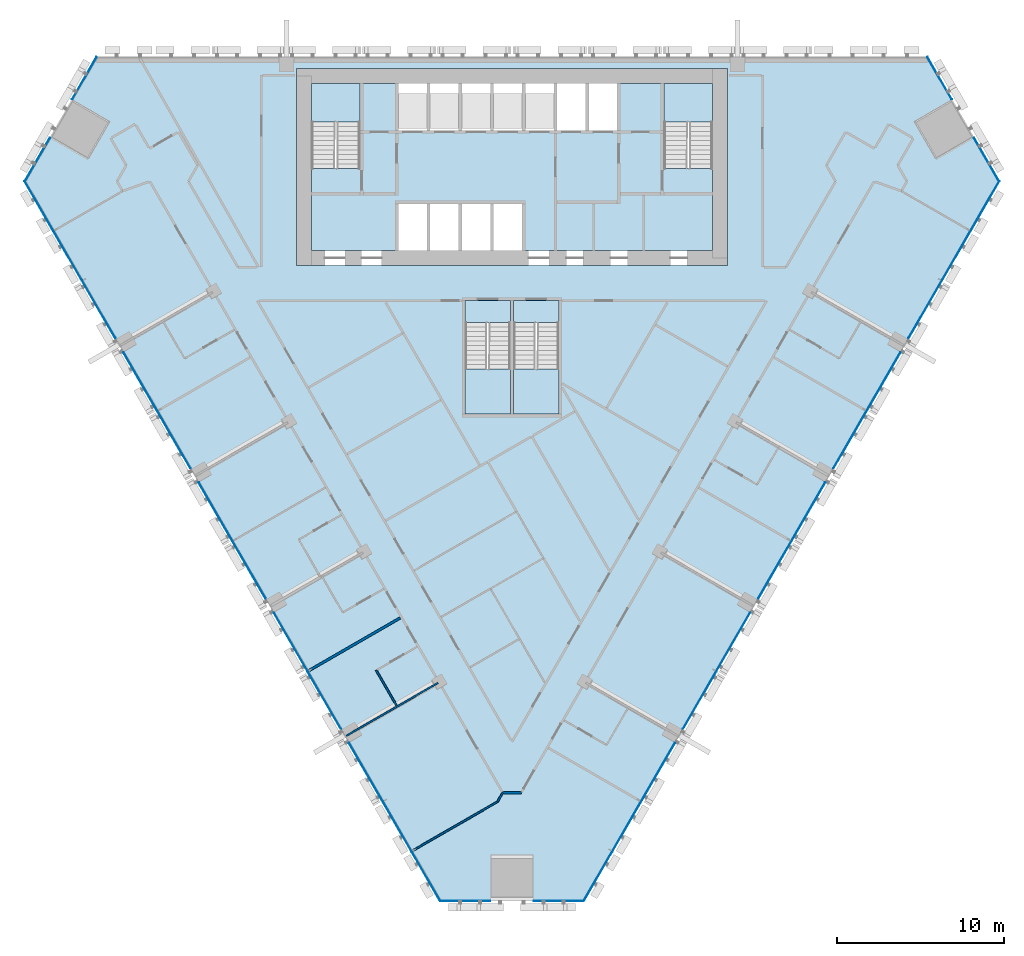
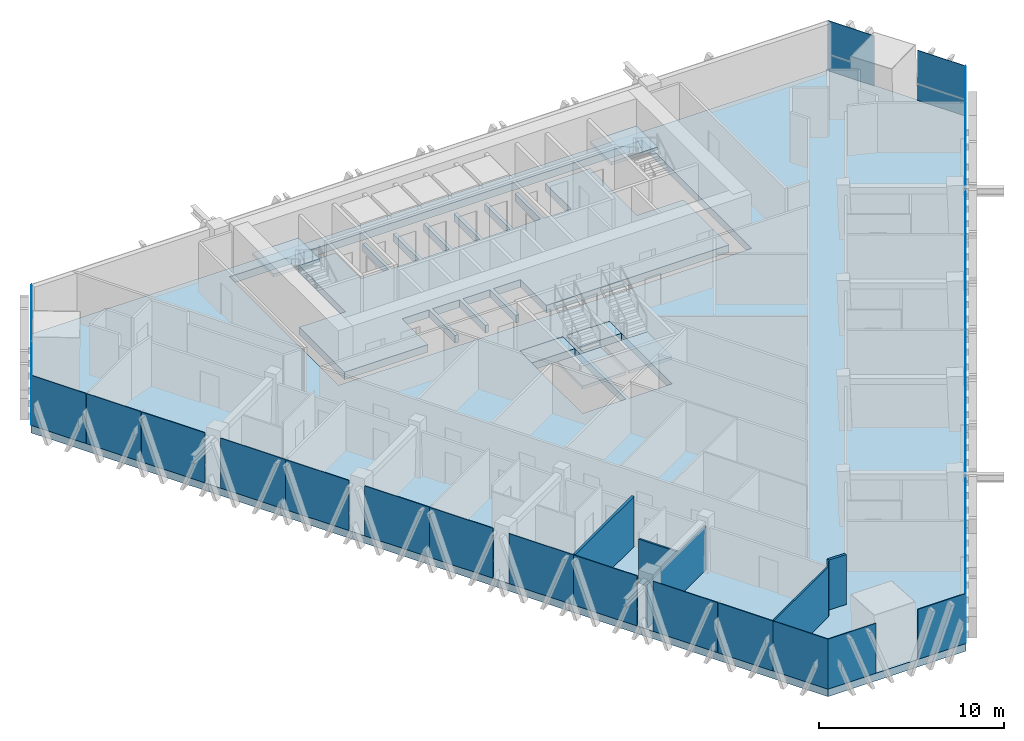
# One storey, part 7 of 15: 30 plates, 8 slabs, 6 walls, 9 elements without a shape of their own.
"""IFC4 building model written with IfcOpenShell, lengths in metres."""

import ifcopenshell
import ifcopenshell.guid

model = None  # the IFC model being written
_history = None  # IfcOwnerHistory: only IFC2X3 demands one
_inside = {}  # id of a spatial element -> (the spatial element, [elements in it])
_under = {}  # id of a project, library or spatial element -> (it, [spatial elements below it])
_declared = {}  # id of a project -> (the project, [libraries it declares])
_typed = {}  # id of a type object -> (the type object, [elements of that type])
_made_of = {}  # id of a material, layer set ... -> (it, [elements and type objects made of it])


def new_model(schema):
    """Start an empty IFC model of exactly this schema.

    Asked for "IFC4X3", IfcOpenShell would pick the latest addendum, in which some entities
    have other attributes; the version numbers below select the first issue.
    IFC2X3 requires an IfcOwnerHistory on every rooted entity: one is made here for all.
    """
    global model, _history
    if schema == "IFC4X3":
        model = ifcopenshell.file(schema_version=(4, 3, 0, 0))
    else:
        model = ifcopenshell.file(schema=schema)
    _inside.clear()
    _under.clear()
    _declared.clear()
    _typed.clear()
    _made_of.clear()
    _history = None
    if model.schema == "IFC2X3":
        org = make("IfcOrganization", Name="unknown")
        user = make(
            "IfcPersonAndOrganization",
            ThePerson=make("IfcPerson", FamilyName="unknown"),
            TheOrganization=org,
        )
        app = make(
            "IfcApplication",
            ApplicationDeveloper=org,
            Version="unknown",
            ApplicationFullName="unknown",
            ApplicationIdentifier="unknown",
        )
        _history = make(
            "IfcOwnerHistory",
            OwningUser=user,
            OwningApplication=app,
            ChangeAction="ADDED",
            CreationDate=0,
        )
    return model


def make(cls, **values):
    """One entity of the class cls with the attributes given. An attribute that is None is left unset."""
    return model.create_entity(
        cls, **{name: value for name, value in values.items() if value is not None}
    )


def rooted(cls, **values):
    """An entity with a GlobalId (a new one), such as an element, a storey or a relation."""
    return make(cls, GlobalId=ifcopenshell.guid.new(), OwnerHistory=_history, **values)


def si_unit(unit_type, name, prefix=None):
    """IfcSIUnit, for example si_unit("LENGTHUNIT", "METRE", prefix="MILLI")."""
    return make("IfcSIUnit", UnitType=unit_type, Prefix=prefix, Name=name)


def assignment(units):
    """IfcUnitAssignment: the units of a project."""
    return None if units is None else make("IfcUnitAssignment", Units=units)


def point(xyz):
    """IfcCartesianPoint."""
    return None if xyz is None else make("IfcCartesianPoint", Coordinates=xyz)


def direction(xyz):
    """IfcDirection."""
    return None if xyz is None else make("IfcDirection", DirectionRatios=xyz)


def frame(location, z_axis=None, x_axis=None):
    """IfcAxis2Placement3D, a coordinate frame: its origin and axes. An axis left out is left unset."""
    return make(
        "IfcAxis2Placement3D",
        Location=point(location),
        Axis=direction(z_axis),
        RefDirection=direction(x_axis),
    )


def frame_2d(location, x_axis=None):
    """IfcAxis2Placement2D, a coordinate frame in the plane: its origin and x axis."""
    return make(
        "IfcAxis2Placement2D", Location=point(location), RefDirection=direction(x_axis)
    )


def origin():
    """The frame at (0, 0, 0) with its axes left unset."""
    return frame((0.0, 0.0, 0.0))


def origin_2d():
    """The frame at (0, 0) in the plane with its x axis left unset."""
    return frame_2d((0.0, 0.0))


def place(relative_to, where):
    """IfcLocalPlacement: puts the frame where relative to a parent placement (None: the world)."""
    return make(
        "IfcLocalPlacement", PlacementRelTo=relative_to, RelativePlacement=where
    )


def context(
    kind, dimensions, precision=None, world=None, true_north=None, identifier=None
):
    """IfcGeometricRepresentationContext, for example the 3D "Model" context."""
    return make(
        "IfcGeometricRepresentationContext",
        ContextIdentifier=identifier,
        ContextType=kind,
        CoordinateSpaceDimension=dimensions,
        Precision=precision,
        WorldCoordinateSystem=world,
        TrueNorth=true_north,
    )


def subcontext(parent, identifier, kind, view, scale=None):
    """IfcGeometricRepresentationSubContext, for example "Body" below "Model"."""
    return make(
        "IfcGeometricRepresentationSubContext",
        ContextIdentifier=identifier,
        ContextType=kind,
        ParentContext=parent,
        TargetScale=scale,
        TargetView=view,
    )


def project(units=None, contexts=None):
    """IfcProject with its units and contexts."""
    return rooted(
        "IfcProject",
        Name="project",
        RepresentationContexts=contexts,
        UnitsInContext=assignment(units),
    )


def spatial(cls, under=None, at=None, **own):
    """A site, building, storey or space (cls), placed at a placement, below another one or the project."""
    s = rooted(cls, ObjectPlacement=at, **own)
    if under is not None:
        _under.setdefault(under.id(), (under, []))[1].append(s)
    return s


def polyline(points):
    """IfcPolyline through the points."""
    return make("IfcPolyline", Points=[point(p) for p in points])


def profile(cls, at=None, kind="AREA", **sizes):
    """A parametric profile (cls). Its sizes go by their IFC names, for example OverallWidth=200.0."""
    return make(cls, ProfileType=kind, Position=at, **sizes)


def rectangle(**sizes):
    """IfcRectangleProfileDef."""
    return profile("IfcRectangleProfileDef", **sizes)


def outline(outer, holes=None, kind="AREA"):
    """IfcArbitraryClosedProfileDef: a profile drawn as a closed curve; with holes, ...WithVoids."""
    if holes is None:
        return make("IfcArbitraryClosedProfileDef", ProfileType=kind, OuterCurve=outer)
    return make(
        "IfcArbitraryProfileDefWithVoids",
        ProfileType=kind,
        OuterCurve=outer,
        InnerCurves=holes,
    )


def extrude(swept, where, along, depth):
    """IfcExtrudedAreaSolid: the profile swept, set in the frame where, extruded along a direction by depth."""
    return make(
        "IfcExtrudedAreaSolid",
        SweptArea=swept,
        Position=where,
        ExtrudedDirection=direction(along),
        Depth=depth,
    )


def shape(context_of_items, identifier, shape_type, items):
    """IfcShapeRepresentation: the items that make up one representation, for example the "Body"."""
    return make(
        "IfcShapeRepresentation",
        ContextOfItems=context_of_items,
        RepresentationIdentifier=identifier,
        RepresentationType=shape_type,
        Items=items,
    )


def material(Name=None, Category=None):
    """IfcMaterial."""
    return make("IfcMaterial", Name=Name, Category=Category)


def layer(
    of_material, thickness, ventilated=None, Name=None, Category=None, Priority=None
):
    """IfcMaterialLayer: one layer of a wall or slab, of a material (None: an air gap)."""
    return make(
        "IfcMaterialLayer",
        Material=of_material,
        LayerThickness=thickness,
        IsVentilated=ventilated,
        Name=Name,
        Category=Category,
        Priority=Priority,
    )


def layer_set(layers, Name=None):
    """IfcMaterialLayerSet."""
    return make("IfcMaterialLayerSet", MaterialLayers=layers, LayerSetName=Name)


def made_of(thing, what):
    """Note that an element or type object is made of a material, layer set ...; save() writes the relation."""
    if what is not None:
        _made_of.setdefault(what.id(), (what, []))[1].append(thing)
    return thing


def type_object(cls, material=None, **own):
    """A type object (cls), such as IfcWallType, which elements share."""
    return made_of(rooted(cls, **own), material)


def element(
    cls,
    number,
    at=None,
    inside=None,
    cuts=None,
    type_object=None,
    material=None,
    context=None,
    identifier="Body",
    shape_type=None,
    held_by="IfcProductDefinitionShape",
    body=None,
    shapes=None,
    **own,
):
    """One element of the class cls, such as IfcWall. Its Tag is "e" and its number.

    at: its placement. inside: the storey or other place that contains it. cuts: it is an
    opening in that element (IfcRelVoidsElement). A single representation is given by context,
    identifier, shape_type and body (its items); several are given by shapes. held_by: the class
    of the entity that holds the representations. save() writes the other relations.
    """
    e = rooted(cls, Tag="e%d" % number, ObjectPlacement=at, **own)
    if body is not None:
        shapes = [shape(context, identifier, shape_type, body)]
    if shapes is not None:
        e.Representation = make(held_by, Representations=shapes)
    if inside is not None:
        _inside.setdefault(inside.id(), (inside, []))[1].append(e)
    if cuts is not None:
        rooted(
            "IfcRelVoidsElement", RelatingBuildingElement=cuts, RelatedOpeningElement=e
        )
    if type_object is not None:
        _typed.setdefault(type_object.id(), (type_object, []))[1].append(e)
    return made_of(e, material)


def aggregate(whole, parts):
    """IfcRelAggregates: a whole, such as a stair, and the parts it consists of."""
    return rooted("IfcRelAggregates", RelatingObject=whole, RelatedObjects=parts)


def save(model, path):
    """Write the relations noted so far, then the file.

    IfcRelAggregates (storeys below a building ...), IfcRelContainedInSpatialStructure (elements
    in a storey), IfcRelDefinesByType, IfcRelAssociatesMaterial and IfcRelDeclares: one each for
    every whole, place, type object, material and project.
    """
    for whole, parts in _under.values():
        aggregate(whole, parts)
    for where, things in _inside.values():
        rooted(
            "IfcRelContainedInSpatialStructure",
            RelatedElements=things,
            RelatingStructure=where,
        )
    for kind, things in _typed.values():
        rooted("IfcRelDefinesByType", RelatedObjects=things, RelatingType=kind)
    for what, things in _made_of.values():
        rooted("IfcRelAssociatesMaterial", RelatedObjects=things, RelatingMaterial=what)
    for by, libraries in _declared.values():
        rooted("IfcRelDeclares", RelatingContext=by, RelatedDefinitions=libraries)
    model.write(path)


model = new_model("IFC4")

# Units and contexts
model_context = context("Model", 3, precision=1e-05, world=origin(), true_north=direction((0.0, 1.0)))
body_context = subcontext(model_context, "Body", "Model", "MODEL_VIEW")
ifc_project = project(units=[si_unit("LENGTHUNIT", "METRE"), si_unit("AREAUNIT", "SQUARE_METRE"), si_unit("VOLUMEUNIT", "CUBIC_METRE"), si_unit("PLANEANGLEUNIT", "RADIAN"), si_unit("MASSUNIT", "GRAM", prefix="KILO")], contexts=[model_context])

# Site, building, storey
site_placement = place(None, origin())
site = spatial("IfcSite", under=ifc_project, at=site_placement, CompositionType="ELEMENT")
building_placement = place(site_placement, origin())
building = spatial("IfcBuilding", under=site, at=building_placement, Name="Altiplano Prism Tower", CompositionType="ELEMENT")
storey_placement = place(building_placement, frame((0.0, 0.0, 91.800048828125)))
storey = spatial("IfcBuildingStorey", under=building, at=storey_placement, Name="L23", CompositionType="ELEMENT", Elevation=91.800048828125)

# Curtain wall, plates
ifc_material_1 = material(Name="Aluminium and glass", Category="aluminium")
ifc_layer_1 = layer(ifc_material_1, 0.280029296875)
ifc_layer_set_1 = layer_set([ifc_layer_1], Name="Aluminium and glass")
curtain_wall_type = type_object("IfcCurtainWallType", Name="CW1 typical co-living unitised curtain wall", PredefinedType="NOTDEFINED", material=ifc_layer_set_1)
curtain_wall_1_placement = place(storey_placement, origin())
curtain_wall_1 = element("IfcCurtainWall", 1, at=curtain_wall_1_placement, inside=storey, type_object=curtain_wall_type, Name="CW1 curtain wall north-west chamfer L23", PredefinedType="NOTDEFINED")
ifc_material_2 = material(Name="Clear glass", Category="glass")
ifc_layer_2 = layer(ifc_material_2, 0.0400390625)
ifc_layer_set_2 = layer_set([ifc_layer_2], Name="Clear glass")
plate_type = type_object("IfcPlateType", Name="CW1 insulated glass unit 40", PredefinedType="CURTAIN_PANEL", material=ifc_layer_set_2)
plate_1_placement = place(storey_placement, frame((59.406494140625, 103.722412109375, 0.0), z_axis=(0.0, 0.0, 1.0), x_axis=(-0.500000024229, -0.866025389796, 0.0)))
plate_1 = element("IfcPlate", 2, at=plate_1_placement, type_object=plate_type, Name="CW1 panel", PredefinedType="CURTAIN_PANEL", context=body_context, shape_type="SweptSolid", body=[
    extrude(rectangle(XDim=2.917236328125, YDim=0.0400390625, at=origin_2d()), origin(), (0.0, 0.0, 1.0), 3.300048828125),
])
plate_2_placement = place(storey_placement, frame((56.5830078125, 98.831787109375, 0.0), z_axis=(0.0, 0.0, 1.0), x_axis=(-0.500000024229, -0.866025389796, 0.0)))
plate_2 = element("IfcPlate", 3, at=plate_2_placement, type_object=plate_type, Name="CW1 panel", PredefinedType="CURTAIN_PANEL", context=body_context, shape_type="SweptSolid", body=[
    extrude(rectangle(XDim=2.997314453125, YDim=0.0400390625, at=origin_2d()), origin(), (0.0, 0.0, 1.0), 3.300048828125),
])
aggregate(curtain_wall_1, [plate_1, plate_2])

curtain_wall_2_placement = place(storey_placement, origin())
curtain_wall_2 = element("IfcCurtainWall", 4, at=curtain_wall_2_placement, inside=storey, type_object=curtain_wall_type, Name="CW1 curtain wall south-west face L23", PredefinedType="NOTDEFINED")
plate_3_placement = place(storey_placement, frame((56.69091796875, 96.060302734375, 0.0), z_axis=(0.0, 0.0, 1.0), x_axis=(0.500000011321, -0.866025397248, 0.0)))
plate_3 = element("IfcPlate", 5, at=plate_3_placement, type_object=plate_type, Name="CW1 panel", PredefinedType="CURTAIN_PANEL", context=body_context, shape_type="SweptSolid", body=[
    extrude(rectangle(XDim=3.429443359375, YDim=0.0400390625, at=origin_2d()), origin(), (0.0, 0.0, 1.0), 3.300048828125),
])
plate_4_placement = place(storey_placement, frame((58.41064453125, 93.08154296875, 0.0), z_axis=(0.0, 0.0, 1.0), x_axis=(0.500000011321, -0.866025397248, 0.0)))
plate_4 = element("IfcPlate", 6, at=plate_4_placement, type_object=plate_type, Name="CW1 panel", PredefinedType="CURTAIN_PANEL", context=body_context, shape_type="SweptSolid", body=[
    extrude(rectangle(XDim=3.429443359375, YDim=0.0400390625, at=origin_2d()), origin(), (0.0, 0.0, 1.0), 3.300048828125),
])
plate_5_placement = place(storey_placement, frame((60.26318359375, 89.873291015625, 0.0), z_axis=(0.0, 0.0, 1.0), x_axis=(0.500000011321, -0.866025397248, 0.0)))
plate_5 = element("IfcPlate", 7, at=plate_5_placement, type_object=plate_type, Name="CW1 panel", PredefinedType="CURTAIN_PANEL", context=body_context, shape_type="SweptSolid", body=[
    extrude(rectangle(XDim=3.9599609375, YDim=0.0400390625, at=origin_2d()), origin(), (0.0, 0.0, 1.0), 3.300048828125),
])
plate_6_placement = place(storey_placement, frame((62.75830078125, 85.551513671875, 0.0), z_axis=(0.0, 0.0, 1.0), x_axis=(0.500000011321, -0.866025397248, 0.0)))
plate_6 = element("IfcPlate", 8, at=plate_6_placement, type_object=plate_type, Name="CW1 panel", PredefinedType="CURTAIN_PANEL", context=body_context, shape_type="SweptSolid", body=[
    extrude(rectangle(XDim=4.039306640625, YDim=0.0400390625, at=origin_2d()), origin(), (0.0, 0.0, 1.0), 3.300048828125),
])
plate_7_placement = place(storey_placement, frame((64.76318359375, 82.0791015625, 0.0), z_axis=(0.0, 0.0, 1.0), x_axis=(0.500000011321, -0.866025397248, 0.0)))
plate_7 = element("IfcPlate", 9, at=plate_7_placement, type_object=plate_type, Name="CW1 panel", PredefinedType="CURTAIN_PANEL", context=body_context, shape_type="SweptSolid", body=[
    extrude(rectangle(XDim=3.9599609375, YDim=0.0400390625, at=origin_2d()), origin(), (0.0, 0.0, 1.0), 3.300048828125),
])
plate_8_placement = place(storey_placement, frame((67.25830078125, 77.75732421875, 0.0), z_axis=(0.0, 0.0, 1.0), x_axis=(0.500000011321, -0.866025397248, 0.0)))
plate_8 = element("IfcPlate", 10, at=plate_8_placement, type_object=plate_type, Name="CW1 panel", PredefinedType="CURTAIN_PANEL", context=body_context, shape_type="SweptSolid", body=[
    extrude(rectangle(XDim=4.039306640625, YDim=0.0400390625, at=origin_2d()), origin(), (0.0, 0.0, 1.0), 3.300048828125),
])
plate_9_placement = place(storey_placement, frame((69.26318359375, 74.284912109375, 0.0), z_axis=(0.0, 0.0, 1.0), x_axis=(0.500000011321, -0.866025397248, 0.0)))
plate_9 = element("IfcPlate", 11, at=plate_9_placement, type_object=plate_type, Name="CW1 panel", PredefinedType="CURTAIN_PANEL", context=body_context, shape_type="SweptSolid", body=[
    extrude(rectangle(XDim=3.9599609375, YDim=0.0400390625, at=origin_2d()), origin(), (0.0, 0.0, 1.0), 3.300048828125),
])
plate_10_placement = place(storey_placement, frame((71.75830078125, 69.962890625, 0.0), z_axis=(0.0, 0.0, 1.0), x_axis=(0.500000011321, -0.866025397248, 0.0)))
plate_10 = element("IfcPlate", 12, at=plate_10_placement, type_object=plate_type, Name="CW1 panel", PredefinedType="CURTAIN_PANEL", context=body_context, shape_type="SweptSolid", body=[
    extrude(rectangle(XDim=4.039306640625, YDim=0.0400390625, at=origin_2d()), origin(), (0.0, 0.0, 1.0), 3.300048828125),
])
plate_11_placement = place(storey_placement, frame((73.76318359375, 66.490478515625, 0.0), z_axis=(0.0, 0.0, 1.0), x_axis=(0.500000011321, -0.866025397248, 0.0)))
plate_11 = element("IfcPlate", 13, at=plate_11_placement, type_object=plate_type, Name="CW1 panel", PredefinedType="CURTAIN_PANEL", context=body_context, shape_type="SweptSolid", body=[
    extrude(rectangle(XDim=3.9599609375, YDim=0.0400390625, at=origin_2d()), origin(), (0.0, 0.0, 1.0), 3.300048828125),
])
plate_12_placement = place(storey_placement, frame((76.25830078125, 62.168701171875, 0.0), z_axis=(0.0, 0.0, 1.0), x_axis=(0.500000011321, -0.866025397248, 0.0)))
plate_12 = element("IfcPlate", 14, at=plate_12_placement, type_object=plate_type, Name="CW1 panel", PredefinedType="CURTAIN_PANEL", context=body_context, shape_type="SweptSolid", body=[
    extrude(rectangle(XDim=4.039306640625, YDim=0.0400390625, at=origin_2d()), origin(), (0.0, 0.0, 1.0), 3.300048828125),
])
plate_13_placement = place(storey_placement, frame((78.13037109375, 58.926025390625, 0.0), z_axis=(0.0, 0.0, 1.0), x_axis=(0.500000011321, -0.866025397248, 0.0)))
plate_13 = element("IfcPlate", 15, at=plate_13_placement, type_object=plate_type, Name="CW1 panel", PredefinedType="CURTAIN_PANEL", context=body_context, shape_type="SweptSolid", body=[
    extrude(rectangle(XDim=3.429443359375, YDim=0.0400390625, at=origin_2d()), origin(), (0.0, 0.0, 1.0), 3.300048828125),
])
plate_14_placement = place(storey_placement, frame((79.85009765625, 55.947509765625, 0.0), z_axis=(0.0, 0.0, 1.0), x_axis=(0.500000011321, -0.866025397248, 0.0)))
plate_14 = element("IfcPlate", 16, at=plate_14_placement, type_object=plate_type, Name="CW1 panel", PredefinedType="CURTAIN_PANEL", context=body_context, shape_type="SweptSolid", body=[
    extrude(rectangle(XDim=3.429443359375, YDim=0.0400390625, at=origin_2d()), origin(), (0.0, 0.0, 1.0), 3.300048828125),
])
aggregate(curtain_wall_2, [plate_3, plate_4, plate_5, plate_6, plate_7, plate_8, plate_9, plate_10, plate_11, plate_12, plate_13, plate_14])

curtain_wall_3_placement = place(storey_placement, origin())
curtain_wall_3 = element("IfcCurtainWall", 17, at=curtain_wall_3_placement, inside=storey, type_object=curtain_wall_type, Name="CW1 curtain wall south chamfer L23", PredefinedType="NOTDEFINED")
plate_15_placement = place(storey_placement, frame((82.1962890625, 54.468017578125, 0.0), z_axis=(0.0, 0.0, 1.0), x_axis=(1.0, 0.0, 0.0)))
plate_15 = element("IfcPlate", 18, at=plate_15_placement, type_object=plate_type, Name="CW1 panel", PredefinedType="CURTAIN_PANEL", context=body_context, shape_type="SweptSolid", body=[
    extrude(rectangle(XDim=2.997314453125, YDim=0.0400390625, at=origin_2d()), origin(), (0.0, 0.0, 1.0), 3.300048828125),
])
plate_16_placement = place(storey_placement, frame((87.8037109375, 54.468017578125, 0.0), z_axis=(0.0, 0.0, 1.0), x_axis=(1.0, 0.0, 0.0)))
plate_16 = element("IfcPlate", 19, at=plate_16_placement, type_object=plate_type, Name="CW1 panel", PredefinedType="CURTAIN_PANEL", context=body_context, shape_type="SweptSolid", body=[
    extrude(rectangle(XDim=2.997314453125, YDim=0.0400390625, at=origin_2d()), origin(), (0.0, 0.0, 1.0), 3.300048828125),
])
aggregate(curtain_wall_3, [plate_15, plate_16])

curtain_wall_4_placement = place(storey_placement, origin())
curtain_wall_4 = element("IfcCurtainWall", 20, at=curtain_wall_4_placement, inside=storey, type_object=curtain_wall_type, Name="CW1 curtain wall south-east face L23", PredefinedType="NOTDEFINED")
plate_17_placement = place(storey_placement, frame((90.14990234375, 55.947509765625, 0.0), z_axis=(0.0, 0.0, 1.0), x_axis=(0.500000011321, 0.866025397248, 0.0)))
plate_17 = element("IfcPlate", 21, at=plate_17_placement, type_object=plate_type, Name="CW1 panel", PredefinedType="CURTAIN_PANEL", context=body_context, shape_type="SweptSolid", body=[
    extrude(rectangle(XDim=3.429443359375, YDim=0.0400390625, at=origin_2d()), origin(), (0.0, 0.0, 1.0), 3.300048828125),
])
plate_18_placement = place(storey_placement, frame((91.86962890625, 58.926025390625, 0.0), z_axis=(0.0, 0.0, 1.0), x_axis=(0.500000011321, 0.866025397248, 0.0)))
plate_18 = element("IfcPlate", 22, at=plate_18_placement, type_object=plate_type, Name="CW1 panel", PredefinedType="CURTAIN_PANEL", context=body_context, shape_type="SweptSolid", body=[
    extrude(rectangle(XDim=3.429443359375, YDim=0.0400390625, at=origin_2d()), origin(), (0.0, 0.0, 1.0), 3.300048828125),
])
plate_19_placement = place(storey_placement, frame((93.74169921875, 62.168701171875, 0.0), z_axis=(0.0, 0.0, 1.0), x_axis=(0.500000011321, 0.866025397248, 0.0)))
plate_19 = element("IfcPlate", 23, at=plate_19_placement, type_object=plate_type, Name="CW1 panel", PredefinedType="CURTAIN_PANEL", context=body_context, shape_type="SweptSolid", body=[
    extrude(rectangle(XDim=4.039306640625, YDim=0.0400390625, at=origin_2d()), origin(), (0.0, 0.0, 1.0), 3.300048828125),
])
plate_20_placement = place(storey_placement, frame((96.23681640625, 66.490478515625, 0.0), z_axis=(0.0, 0.0, 1.0), x_axis=(0.500000011321, 0.866025397248, 0.0)))
plate_20 = element("IfcPlate", 24, at=plate_20_placement, type_object=plate_type, Name="CW1 panel", PredefinedType="CURTAIN_PANEL", context=body_context, shape_type="SweptSolid", body=[
    extrude(rectangle(XDim=3.9599609375, YDim=0.0400390625, at=origin_2d()), origin(), (0.0, 0.0, 1.0), 3.300048828125),
])
plate_21_placement = place(storey_placement, frame((98.24169921875, 69.962890625, 0.0), z_axis=(0.0, 0.0, 1.0), x_axis=(0.500000011321, 0.866025397248, 0.0)))
plate_21 = element("IfcPlate", 25, at=plate_21_placement, type_object=plate_type, Name="CW1 panel", PredefinedType="CURTAIN_PANEL", context=body_context, shape_type="SweptSolid", body=[
    extrude(rectangle(XDim=4.039306640625, YDim=0.0400390625, at=origin_2d()), origin(), (0.0, 0.0, 1.0), 3.300048828125),
])
plate_22_placement = place(storey_placement, frame((100.73681640625, 74.284912109375, 0.0), z_axis=(0.0, 0.0, 1.0), x_axis=(0.500000011321, 0.866025397248, 0.0)))
plate_22 = element("IfcPlate", 26, at=plate_22_placement, type_object=plate_type, Name="CW1 panel", PredefinedType="CURTAIN_PANEL", context=body_context, shape_type="SweptSolid", body=[
    extrude(rectangle(XDim=3.9599609375, YDim=0.0400390625, at=origin_2d()), origin(), (0.0, 0.0, 1.0), 3.300048828125),
])
plate_23_placement = place(storey_placement, frame((102.74169921875, 77.75732421875, 0.0), z_axis=(0.0, 0.0, 1.0), x_axis=(0.500000011321, 0.866025397248, 0.0)))
plate_23 = element("IfcPlate", 27, at=plate_23_placement, type_object=plate_type, Name="CW1 panel", PredefinedType="CURTAIN_PANEL", context=body_context, shape_type="SweptSolid", body=[
    extrude(rectangle(XDim=4.039306640625, YDim=0.0400390625, at=origin_2d()), origin(), (0.0, 0.0, 1.0), 3.300048828125),
])
plate_24_placement = place(storey_placement, frame((105.23681640625, 82.0791015625, 0.0), z_axis=(0.0, 0.0, 1.0), x_axis=(0.500000011321, 0.866025397248, 0.0)))
plate_24 = element("IfcPlate", 28, at=plate_24_placement, type_object=plate_type, Name="CW1 panel", PredefinedType="CURTAIN_PANEL", context=body_context, shape_type="SweptSolid", body=[
    extrude(rectangle(XDim=3.9599609375, YDim=0.0400390625, at=origin_2d()), origin(), (0.0, 0.0, 1.0), 3.300048828125),
])
plate_25_placement = place(storey_placement, frame((107.24169921875, 85.551513671875, 0.0), z_axis=(0.0, 0.0, 1.0), x_axis=(0.500000011321, 0.866025397248, 0.0)))
plate_25 = element("IfcPlate", 29, at=plate_25_placement, type_object=plate_type, Name="CW1 panel", PredefinedType="CURTAIN_PANEL", context=body_context, shape_type="SweptSolid", body=[
    extrude(rectangle(XDim=4.039306640625, YDim=0.0400390625, at=origin_2d()), origin(), (0.0, 0.0, 1.0), 3.300048828125),
])
plate_26_placement = place(storey_placement, frame((109.73681640625, 89.873291015625, 0.0), z_axis=(0.0, 0.0, 1.0), x_axis=(0.500000011321, 0.866025397248, 0.0)))
plate_26 = element("IfcPlate", 30, at=plate_26_placement, type_object=plate_type, Name="CW1 panel", PredefinedType="CURTAIN_PANEL", context=body_context, shape_type="SweptSolid", body=[
    extrude(rectangle(XDim=3.9599609375, YDim=0.0400390625, at=origin_2d()), origin(), (0.0, 0.0, 1.0), 3.300048828125),
])
plate_27_placement = place(storey_placement, frame((111.58935546875, 93.08154296875, 0.0), z_axis=(0.0, 0.0, 1.0), x_axis=(0.500000011321, 0.866025397248, 0.0)))
plate_27 = element("IfcPlate", 31, at=plate_27_placement, type_object=plate_type, Name="CW1 panel", PredefinedType="CURTAIN_PANEL", context=body_context, shape_type="SweptSolid", body=[
    extrude(rectangle(XDim=3.429443359375, YDim=0.0400390625, at=origin_2d()), origin(), (0.0, 0.0, 1.0), 3.300048828125),
])
plate_28_placement = place(storey_placement, frame((113.30908203125, 96.060302734375, 0.0), z_axis=(0.0, 0.0, 1.0), x_axis=(0.500000011321, 0.866025397248, 0.0)))
plate_28 = element("IfcPlate", 32, at=plate_28_placement, type_object=plate_type, Name="CW1 panel", PredefinedType="CURTAIN_PANEL", context=body_context, shape_type="SweptSolid", body=[
    extrude(rectangle(XDim=3.429443359375, YDim=0.0400390625, at=origin_2d()), origin(), (0.0, 0.0, 1.0), 3.300048828125),
])
aggregate(curtain_wall_4, [plate_17, plate_18, plate_19, plate_20, plate_21, plate_22, plate_23, plate_24, plate_25, plate_26, plate_27, plate_28])

curtain_wall_5_placement = place(storey_placement, origin())
curtain_wall_5 = element("IfcCurtainWall", 33, at=curtain_wall_5_placement, inside=storey, type_object=curtain_wall_type, Name="CW1 curtain wall north-east chamfer L23", PredefinedType="NOTDEFINED")
plate_29_placement = place(storey_placement, frame((113.4169921875, 98.831787109375, 0.0), z_axis=(0.0, 0.0, 1.0), x_axis=(-0.500000024229, 0.866025389796, 0.0)))
plate_29 = element("IfcPlate", 34, at=plate_29_placement, type_object=plate_type, Name="CW1 panel", PredefinedType="CURTAIN_PANEL", context=body_context, shape_type="SweptSolid", body=[
    extrude(rectangle(XDim=2.997314453125, YDim=0.0400390625, at=origin_2d()), origin(), (0.0, 0.0, 1.0), 3.300048828125),
])
plate_30_placement = place(storey_placement, frame((110.593505859375, 103.722412109375, 0.0), z_axis=(0.0, 0.0, 1.0), x_axis=(-0.500000024229, 0.866025389796, 0.0)))
plate_30 = element("IfcPlate", 35, at=plate_30_placement, type_object=plate_type, Name="CW1 panel", PredefinedType="CURTAIN_PANEL", context=body_context, shape_type="SweptSolid", body=[
    extrude(rectangle(XDim=2.917236328125, YDim=0.0400390625, at=origin_2d()), origin(), (0.0, 0.0, 1.0), 3.300048828125),
])
aggregate(curtain_wall_5, [plate_29, plate_30])

# Slabs
ifc_material_3 = material(Name="Concrete C40/50", Category="concrete")
ifc_layer_3 = layer(ifc_material_3, 0.5)
ifc_layer_set_3 = layer_set([ifc_layer_3], Name="Concrete C40/50")
slab_type_1 = type_object("IfcSlabType", Name="Core floor slab 500", PredefinedType="FLOOR", material=ifc_layer_set_3)
slab_1_placement = place(storey_placement, frame((0.0, 0.0, -0.5)))
element("IfcSlab", 36, at=slab_1_placement, inside=storey, type_object=slab_type_1, Name="Core floor slab L23", PredefinedType="FLOOR", context=body_context, shape_type="SweptSolid", body=[
    extrude(outline(polyline([(97.0, 98.31005859375), (94.10009765625, 98.31005859375), (94.10009765625, 103.39990234375), (91.300048828125, 103.39990234375), (91.300048828125, 100.60009765625), (89.60009765625, 100.60009765625), (89.60009765625, 103.39990234375), (89.39990234375, 103.39990234375), (89.39990234375, 100.60009765625), (87.699951171875, 100.60009765625), (87.699951171875, 103.39990234375), (87.5, 103.39990234375), (87.5, 100.60009765625), (85.800048828125, 100.60009765625), (85.800048828125, 103.39990234375), (85.60009765625, 103.39990234375), (85.60009765625, 100.60009765625), (83.89990234375, 100.60009765625), (83.89990234375, 103.39990234375), (83.699951171875, 103.39990234375), (83.699951171875, 100.60009765625), (82.0, 100.60009765625), (82.0, 103.39990234375), (81.800048828125, 103.39990234375), (81.800048828125, 100.60009765625), (80.10009765625, 100.60009765625), (80.10009765625, 103.39990234375), (79.89990234375, 103.39990234375), (79.89990234375, 100.60009765625), (78.199951171875, 100.60009765625), (78.199951171875, 103.39990234375), (75.89990234375, 103.39990234375), (75.89990234375, 98.31005859375), (73.0, 98.31005859375), (73.0, 93.39990234375), (78.199951171875, 93.39990234375), (78.199951171875, 96.199951171875), (79.89990234375, 96.199951171875), (79.89990234375, 93.39990234375), (80.10009765625, 93.39990234375), (80.10009765625, 96.199951171875), (81.800048828125, 96.199951171875), (81.800048828125, 93.39990234375), (82.0, 93.39990234375), (82.0, 96.199951171875), (83.699951171875, 96.199951171875), (83.699951171875, 93.39990234375), (83.89990234375, 93.39990234375), (83.89990234375, 96.199951171875), (85.60009765625, 96.199951171875), (85.60009765625, 93.39990234375), (97.0, 93.39990234375), (97.0, 98.31005859375)])), origin(), (0.0, 0.0, 1.0), 0.5),
])
slab_2_placement = place(storey_placement, frame((0.0, 0.0, -0.5)))
element("IfcSlab", 37, at=slab_2_placement, inside=storey, type_object=slab_type_1, Name="Stair 3A landing slab L23", PredefinedType="FLOOR", context=body_context, shape_type="SweptSolid", body=[
    extrude(outline(polyline([(82.199951171875, 89.096923828125), (84.89990234375, 89.096923828125), (84.89990234375, 90.39990234375), (82.199951171875, 90.39990234375), (82.199951171875, 89.096923828125)])), origin(), (0.0, 0.0, 1.0), 0.5),
])
slab_3_placement = place(storey_placement, frame((0.0, 0.0, -0.5)))
element("IfcSlab", 38, at=slab_3_placement, inside=storey, type_object=slab_type_1, Name="Stair 3B landing slab L23", PredefinedType="FLOOR", context=body_context, shape_type="SweptSolid", body=[
    extrude(outline(polyline([(85.10009765625, 89.096923828125), (87.800048828125, 89.096923828125), (87.800048828125, 90.39990234375), (85.10009765625, 90.39990234375), (85.10009765625, 89.096923828125)])), origin(), (0.0, 0.0, 1.0), 0.5),
])
ifc_layer_4 = layer(ifc_material_3, 0.5)
ifc_layer_set_4 = layer_set([ifc_layer_4], Name="Concrete C40/50")
slab_type_2 = type_object("IfcSlabType", Name="Post-tensioned flat slab 500", PredefinedType="FLOOR", material=ifc_layer_set_4)
slab_4_placement = place(storey_placement, frame((0.0, 0.0, -0.5)))
element("IfcSlab", 39, at=slab_4_placement, inside=storey, type_object=slab_type_2, Name="Floor slab L23", PredefinedType="FLOOR", context=body_context, shape_type="SweptSolid", body=[
    extrude(outline(polyline([(80.692626953125, 54.447998046875), (55.813720703125, 97.53955078125), (60.12109375, 105.0), (109.87890625, 105.0), (114.186279296875, 97.53955078125), (89.307373046875, 54.447998046875), (80.692626953125, 54.447998046875)]), holes=[polyline([(72.10009765625, 104.300048828125), (72.10009765625, 92.5), (97.89990234375, 92.5), (97.89990234375, 104.300048828125), (72.10009765625, 104.300048828125)]), polyline([(84.89990234375, 90.39990234375), (82.199951171875, 90.39990234375), (82.199951171875, 83.60009765625), (84.89990234375, 83.60009765625), (84.89990234375, 90.39990234375)]), polyline([(87.800048828125, 83.60009765625), (87.800048828125, 90.39990234375), (85.10009765625, 90.39990234375), (85.10009765625, 83.60009765625), (87.800048828125, 83.60009765625)])]), origin(), (0.0, 0.0, 1.0), 0.5),
])

# Stair, slab
stair_type_1 = type_object("IfcStairType", Name="Exit stair 1400", PredefinedType="HALF_TURN_STAIR", material=ifc_material_3)
stair_1_placement = place(storey_placement, origin())
stair_1 = element("IfcStair", 40, at=stair_1_placement, inside=storey, type_object=stair_type_1, Name="L23 Exit Stair 1", PredefinedType="HALF_TURN_STAIR")
ifc_layer_5 = layer(ifc_material_3, 0.199951171875)
ifc_layer_set_5 = layer_set([ifc_layer_5], Name="Concrete C40/50")
slab_type_3 = type_object("IfcSlabType", Name="Stair landing 200", PredefinedType="LANDING", material=ifc_layer_set_5)
slab_5_placement = place(storey_placement, frame((0.0, 0.0, 1.599853515625)))
slab_5 = element("IfcSlab", 41, at=slab_5_placement, type_object=slab_type_3, Name="ST1 landing 1", PredefinedType="LANDING", context=body_context, shape_type="SweptSolid", body=[
    extrude(outline(polyline([(75.89990234375, 101.096923828125), (75.89990234375, 103.39990234375), (73.0, 103.39990234375), (73.0, 101.096923828125), (75.89990234375, 101.096923828125)])), origin(), (0.0, 0.0, 1.0), 0.2001953125),
])
aggregate(stair_1, [slab_5])

stair_2_placement = place(storey_placement, origin())
stair_2 = element("IfcStair", 42, at=stair_2_placement, inside=storey, type_object=stair_type_1, Name="L23 Exit Stair 2", PredefinedType="HALF_TURN_STAIR")
slab_6_placement = place(storey_placement, frame((0.0, 0.0, 1.599853515625)))
slab_6 = element("IfcSlab", 43, at=slab_6_placement, type_object=slab_type_3, Name="ST2 landing 1", PredefinedType="LANDING", context=body_context, shape_type="SweptSolid", body=[
    extrude(outline(polyline([(97.0, 101.096923828125), (97.0, 103.39990234375), (94.10009765625, 103.39990234375), (94.10009765625, 101.096923828125), (97.0, 101.096923828125)])), origin(), (0.0, 0.0, 1.0), 0.2001953125),
])
aggregate(stair_2, [slab_6])

stair_type_2 = type_object("IfcStairType", Name="Exit stair 1300", PredefinedType="HALF_TURN_STAIR", material=ifc_material_3)
stair_3_placement = place(storey_placement, origin())
stair_3 = element("IfcStair", 44, at=stair_3_placement, inside=storey, type_object=stair_type_2, Name="L23 Exit Stair 3A", PredefinedType="HALF_TURN_STAIR")
slab_7_placement = place(storey_placement, frame((0.0, 0.0, 1.599853515625)))
slab_7 = element("IfcSlab", 45, at=slab_7_placement, type_object=slab_type_3, Name="ST3A landing 1", PredefinedType="LANDING", context=body_context, shape_type="SweptSolid", body=[
    extrude(outline(polyline([(82.199951171875, 86.302978515625), (82.199951171875, 83.60009765625), (84.89990234375, 83.60009765625), (84.89990234375, 86.302978515625), (82.199951171875, 86.302978515625)])), origin(), (0.0, 0.0, 1.0), 0.2001953125),
])
aggregate(stair_3, [slab_7])

stair_4_placement = place(storey_placement, origin())
stair_4 = element("IfcStair", 46, at=stair_4_placement, inside=storey, type_object=stair_type_2, Name="L23 Exit Stair 3B", PredefinedType="HALF_TURN_STAIR")
slab_8_placement = place(storey_placement, frame((0.0, 0.0, 1.599853515625)))
slab_8 = element("IfcSlab", 47, at=slab_8_placement, type_object=slab_type_3, Name="ST3B landing 1", PredefinedType="LANDING", context=body_context, shape_type="SweptSolid", body=[
    extrude(outline(polyline([(85.10009765625, 86.302978515625), (85.10009765625, 83.60009765625), (87.800048828125, 83.60009765625), (87.800048828125, 86.302978515625), (85.10009765625, 86.302978515625)])), origin(), (0.0, 0.0, 1.0), 0.2001953125),
])
aggregate(stair_4, [slab_8])

# Walls
ifc_material_4 = material(Name="Plasterboard on steel stud", Category="steel")
ifc_layer_6 = layer(ifc_material_4, 0.10009765625)
ifc_layer_set_6 = layer_set([ifc_layer_6], Name="Plasterboard on steel stud")
wall_type_1 = type_object("IfcWallType", Name="Partition 100 unit", PredefinedType="PARTITIONING", material=ifc_layer_set_6)
wall_1_placement = place(storey_placement, frame((78.095947265625, 66.145751953125, 0.0), z_axis=(0.0, 0.0, 1.0), x_axis=(-0.500018594424, 0.866014668023, 0.0)))
element("IfcWall", 48, at=wall_1_placement, inside=storey, type_object=wall_type_1, Name="Partition P02 L23 055", PredefinedType="PARTITIONING", context=body_context, shape_type="SweptSolid", body=[
    extrude(rectangle(XDim=2.4501953125, YDim=0.10009765625, at=frame_2d((1.22509765625, 0.0))), origin(), (0.0, 0.0, 1.0), 2.89990234375),
])
ifc_layer_7 = layer(ifc_material_4, 0.10009765625)
ifc_layer_set_7 = layer_set([ifc_layer_7], Name="Plasterboard on steel stud")
wall_type_2 = type_object("IfcWallType", Name="Partition 100 wet", PredefinedType="PARTITIONING", material=ifc_layer_set_7)
wall_2_placement = place(storey_placement, frame((75.08984375, 64.3525390625, 0.0), z_axis=(0.0, 0.0, 1.0), x_axis=(0.866032601554, 0.49998753289, 0.0)))
element("IfcWall", 49, at=wall_2_placement, inside=storey, type_object=wall_type_2, Name="Partition P03 L23 057", PredefinedType="PARTITIONING", context=body_context, shape_type="SweptSolid", body=[
    extrude(rectangle(XDim=6.324951171875, YDim=0.10009765625, at=frame_2d((3.16259765625, 0.0))), origin(), (0.0, 0.0, 1.0), 2.89990234375),
])
wall_3_placement = place(storey_placement, frame((79.0419921875, 57.466552734375, 0.0), z_axis=(0.0, 0.0, 1.0), x_axis=(0.866020963352, 0.500007690975, 0.0)))
element("IfcWall", 50, at=wall_3_placement, inside=storey, type_object=wall_type_2, Name="Partition P03 L23 058", PredefinedType="PARTITIONING", context=body_context, shape_type="SweptSolid", body=[
    extrude(rectangle(XDim=5.8779296875, YDim=0.10009765625, at=frame_2d((2.93896484375, 0.0))), origin(), (0.0, 0.0, 1.0), 3.300048828125),
])
wall_4_placement = place(storey_placement, frame((84.13232421875, 60.405517578125, 0.0), z_axis=(0.0, 0.0, 1.0), x_axis=(0.500037327496, 0.866003851672, 0.0)))
element("IfcWall", 51, at=wall_4_placement, inside=storey, type_object=wall_type_2, Name="Partition P03 L23 059", PredefinedType="PARTITIONING", context=body_context, shape_type="SweptSolid", body=[
    extrude(rectangle(XDim=0.62646484375, YDim=0.10009765625, at=frame_2d((0.313232421875, 0.0))), origin(), (0.0, 0.0, 1.0), 3.300048828125),
])
ifc_layer_8 = layer(ifc_material_4, 0.14990234375)
ifc_layer_set_8 = layer_set([ifc_layer_8], Name="Plasterboard on steel stud")
wall_type_3 = type_object("IfcWallType", Name="Partition 150 corridor", PredefinedType="PARTITIONING", material=ifc_layer_set_8)
wall_5_placement = place(storey_placement, frame((84.445556640625, 60.947998046875, 0.0), z_axis=(0.0, 0.0, 1.0), x_axis=(1.0, 0.0, 0.0)))
element("IfcWall", 52, at=wall_5_placement, inside=storey, type_object=wall_type_3, Name="Partition P06 L23 015", PredefinedType="PARTITIONING", context=body_context, shape_type="SweptSolid", body=[
    extrude(rectangle(XDim=1.10888671875, YDim=0.14990234375, at=frame_2d((0.554443359375, 0.0))), origin(), (0.0, 0.0, 1.0), 3.300048828125),
])
ifc_layer_9 = layer(ifc_material_4, 0.14990234375)
ifc_layer_set_9 = layer_set([ifc_layer_9], Name="Plasterboard on steel stud")
wall_type_4 = type_object("IfcWallType", Name="Partition 150 party", PredefinedType="PARTITIONING", material=ifc_layer_set_9)
wall_6_placement = place(storey_placement, frame((72.822265625, 68.239501953125, 0.0), z_axis=(0.0, 0.0, 1.0), x_axis=(0.866025401434, 0.500000004071, 0.0)))
element("IfcWall", 53, at=wall_6_placement, inside=storey, type_object=wall_type_4, Name="Partition P01 L23 054", PredefinedType="PARTITIONING", context=body_context, shape_type="SweptSolid", body=[
    extrude(rectangle(XDim=6.34521484375, YDim=0.14990234375, at=frame_2d((3.172607421875, 0.0))), origin(), (0.0, 0.0, 1.0), 3.300048828125),
])

save(model, "model.ifc")
